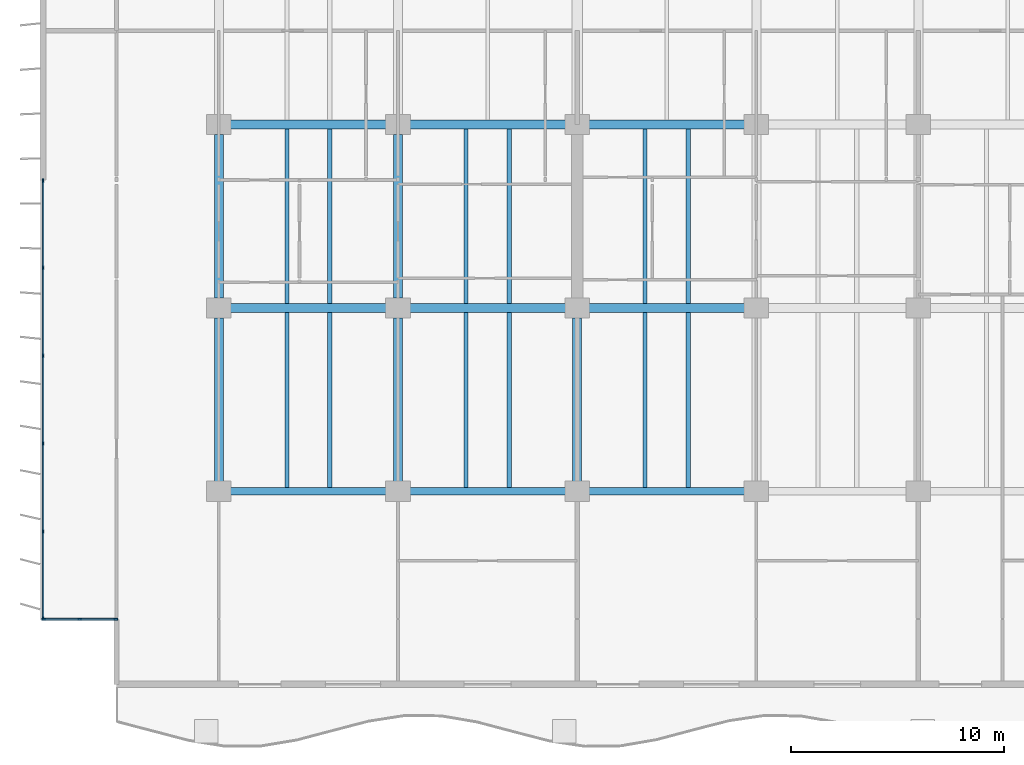
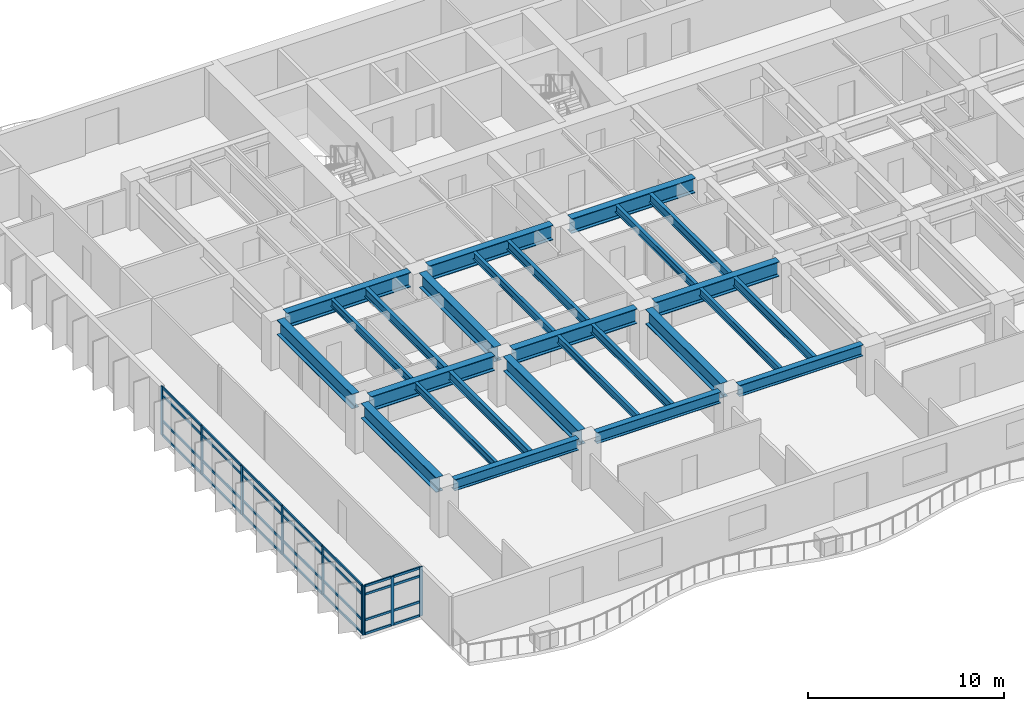
# One storey, part 2 of 17: 37 members, 26 beams, 2 elements without a shape of their own.
"""IFC4 building model written with IfcOpenShell, lengths in metres."""

from ifc_helpers import new_model, si_unit, direction, frame, origin, origin_2d, place, context, subcontext, project, spatial, rectangle, i_section, extrude, material, layer, layer_set, material_profile, profile_set, type_object, element, aggregate, save


model = new_model("IFC4")

# Units and contexts
model_context = context("Model", 3, precision=1e-05, world=origin(), true_north=direction((0.0, 1.0)))
body_context = subcontext(model_context, "Body", "Model", "MODEL_VIEW")
ifc_project = project(units=[si_unit("LENGTHUNIT", "METRE"), si_unit("AREAUNIT", "SQUARE_METRE"), si_unit("VOLUMEUNIT", "CUBIC_METRE"), si_unit("PLANEANGLEUNIT", "RADIAN"), si_unit("MASSUNIT", "GRAM", prefix="KILO")], contexts=[model_context])

# Site, building, storey
site_placement = place(None, origin())
site = spatial("IfcSite", under=ifc_project, at=site_placement, CompositionType="ELEMENT")
building_placement = place(site_placement, origin())
building = spatial("IfcBuilding", under=site, at=building_placement, Name="Caelmar Bay Residences", CompositionType="ELEMENT")
storey_placement = place(building_placement, frame((0.0, 0.0, 59.699951171875)))
storey = spatial("IfcBuildingStorey", under=building, at=storey_placement, Name="L15", CompositionType="ELEMENT", Elevation=59.699951171875)

# Beams
ifc_material_1 = material(Name="Steel ASTM A992 Grade 50", Category="steel")
ifc_material_profile_1 = material_profile(ifc_material_1, i_section(OverallWidth=0.422119140625, OverallDepth=0.925048828125, WebThickness=0.021240234375, FlangeThickness=0.03662109375, FilletRadius=0.020263671875, at=origin_2d()), Name="W36X262")
ifc_profile_set_1 = profile_set([ifc_material_profile_1], Name="Steel ASTM A992 Grade 50")
beam_type_1 = type_object("IfcBeamType", Name="BM-GRD-W36X262", PredefinedType="BEAM", material=ifc_profile_set_1)
beam_1_placement = place(storey_placement, frame((10.43994140625, 20.800048828125, 2.587646484375), z_axis=(1.0, 0.0, 0.0), x_axis=(0.0, 1.0, 0.0)))
element("IfcBeam", 1, at=beam_1_placement, inside=storey, type_object=beam_type_1, Name="L15 East-West Girder Y=20.80 (9.9-18.3)", PredefinedType="BEAM", context=body_context, shape_type="SweptSolid", body=[
    extrude(i_section(OverallWidth=0.422119140625, OverallDepth=0.925048828125, WebThickness=0.021240234375, FlangeThickness=0.03662109375, FilletRadius=0.020263671875, at=origin_2d()), origin(), (0.0, 0.0, 1.0), 7.320068359375),
])
beam_2_placement = place(storey_placement, frame((18.840087890625, 20.800048828125, 2.587646484375), z_axis=(1.0, 0.0, 0.0), x_axis=(0.0, 1.0, 0.0)))
element("IfcBeam", 2, at=beam_2_placement, inside=storey, type_object=beam_type_1, Name="L15 East-West Girder Y=20.80 (18.3-26.7)", PredefinedType="BEAM", context=body_context, shape_type="SweptSolid", body=[
    extrude(i_section(OverallWidth=0.422119140625, OverallDepth=0.925048828125, WebThickness=0.021240234375, FlangeThickness=0.03662109375, FilletRadius=0.020263671875, at=origin_2d()), origin(), (0.0, 0.0, 1.0), 7.31982421875),
])
for number, where, z_axis, x_axis, name in (
    (3, (27.239990234375, 20.800048828125, 2.587646484375), (1.0, 0.0, 0.0), (0.0, 1.0, 0.0), "L15 East-West Girder Y=20.80 (26.7-35.1)"),
    (4, (10.43994140625, 29.39990234375, 2.587646484375), (1.0, 0.0, 0.0), (0.0, 1.0, 0.0), "L15 East-West Girder Y=29.40 (9.9-18.3)"),
):
    element("IfcBeam", number, at=place(storey_placement, frame(where, z_axis=z_axis, x_axis=x_axis)), inside=storey, type_object=beam_type_1, Name=name, PredefinedType="BEAM", context=body_context, shape_type="SweptSolid", body=[
        extrude(i_section(OverallWidth=0.422119140625, OverallDepth=0.925048828125, WebThickness=0.021240234375, FlangeThickness=0.03662109375, FilletRadius=0.020263671875, at=origin_2d()), origin(), (0.0, 0.0, 1.0), 7.320068359375),
    ])
beam_3_placement = place(storey_placement, frame((18.840087890625, 29.39990234375, 2.587646484375), z_axis=(1.0, 0.0, 0.0), x_axis=(0.0, 1.0, 0.0)))
element("IfcBeam", 5, at=beam_3_placement, inside=storey, type_object=beam_type_1, Name="L15 East-West Girder Y=29.40 (18.3-26.7)", PredefinedType="BEAM", context=body_context, shape_type="SweptSolid", body=[
    extrude(i_section(OverallWidth=0.422119140625, OverallDepth=0.925048828125, WebThickness=0.021240234375, FlangeThickness=0.03662109375, FilletRadius=0.020263671875, at=origin_2d()), origin(), (0.0, 0.0, 1.0), 7.31982421875),
])
beam_4_placement = place(storey_placement, frame((27.239990234375, 29.39990234375, 2.587646484375), z_axis=(1.0, 0.0, 0.0), x_axis=(0.0, 1.0, 0.0)))
element("IfcBeam", 6, at=beam_4_placement, inside=storey, type_object=beam_type_1, Name="L15 East-West Girder Y=29.40 (26.7-35.1)", PredefinedType="BEAM", context=body_context, shape_type="SweptSolid", body=[
    extrude(i_section(OverallWidth=0.422119140625, OverallDepth=0.925048828125, WebThickness=0.021240234375, FlangeThickness=0.03662109375, FilletRadius=0.020263671875, at=origin_2d()), origin(), (0.0, 0.0, 1.0), 7.320068359375),
])
beam_5_placement = place(storey_placement, frame((9.89990234375, 12.6650390625, 2.587646484375), z_axis=(0.0, 1.0, 0.0), x_axis=(-1.0, 0.0, 0.0)))
element("IfcBeam", 7, at=beam_5_placement, inside=storey, type_object=beam_type_1, Name="L15 North-South Girder X=9.90 (12.2-20.8)", PredefinedType="BEAM", context=body_context, shape_type="SweptSolid", body=[
    extrude(i_section(OverallWidth=0.422119140625, OverallDepth=0.925048828125, WebThickness=0.021240234375, FlangeThickness=0.03662109375, FilletRadius=0.020263671875, at=origin_2d()), origin(), (0.0, 0.0, 1.0), 7.669921875),
])
beam_6_placement = place(storey_placement, frame((9.89990234375, 21.264892578125, 2.587646484375), z_axis=(0.0, 1.0, 0.0), x_axis=(-1.0, 0.0, 0.0)))
element("IfcBeam", 8, at=beam_6_placement, inside=storey, type_object=beam_type_1, Name="L15 North-South Girder X=9.90 (20.8-29.4)", PredefinedType="BEAM", context=body_context, shape_type="SweptSolid", body=[
    extrude(i_section(OverallWidth=0.422119140625, OverallDepth=0.925048828125, WebThickness=0.021240234375, FlangeThickness=0.03662109375, FilletRadius=0.020263671875, at=origin_2d()), origin(), (0.0, 0.0, 1.0), 7.670166015625),
])
beam_7_placement = place(storey_placement, frame((18.300048828125, 12.6650390625, 2.587646484375), z_axis=(0.0, 1.0, 0.0), x_axis=(-1.0, 0.0, 0.0)))
element("IfcBeam", 9, at=beam_7_placement, inside=storey, type_object=beam_type_1, Name="L15 North-South Girder X=18.30 (12.2-20.8)", PredefinedType="BEAM", context=body_context, shape_type="SweptSolid", body=[
    extrude(i_section(OverallWidth=0.422119140625, OverallDepth=0.925048828125, WebThickness=0.021240234375, FlangeThickness=0.03662109375, FilletRadius=0.020263671875, at=origin_2d()), origin(), (0.0, 0.0, 1.0), 7.669921875),
])
beam_8_placement = place(storey_placement, frame((18.300048828125, 21.264892578125, 2.587646484375), z_axis=(0.0, 1.0, 0.0), x_axis=(-1.0, 0.0, 0.0)))
element("IfcBeam", 10, at=beam_8_placement, inside=storey, type_object=beam_type_1, Name="L15 North-South Girder X=18.30 (20.8-29.4)", PredefinedType="BEAM", context=body_context, shape_type="SweptSolid", body=[
    extrude(i_section(OverallWidth=0.422119140625, OverallDepth=0.925048828125, WebThickness=0.021240234375, FlangeThickness=0.03662109375, FilletRadius=0.020263671875, at=origin_2d()), origin(), (0.0, 0.0, 1.0), 7.670166015625),
])
beam_9_placement = place(storey_placement, frame((26.699951171875, 12.6650390625, 2.587646484375), z_axis=(0.0, 1.0, 0.0), x_axis=(-1.0, 0.0, 0.0)))
element("IfcBeam", 11, at=beam_9_placement, inside=storey, type_object=beam_type_1, Name="L15 North-South Girder X=26.70 (12.2-20.8)", PredefinedType="BEAM", context=body_context, shape_type="SweptSolid", body=[
    extrude(i_section(OverallWidth=0.422119140625, OverallDepth=0.925048828125, WebThickness=0.021240234375, FlangeThickness=0.03662109375, FilletRadius=0.020263671875, at=origin_2d()), origin(), (0.0, 0.0, 1.0), 7.669921875),
])
ifc_material_profile_2 = material_profile(ifc_material_1, i_section(OverallWidth=0.19091796875, OverallDepth=0.45703125, WebThickness=0.009033203125, FlangeThickness=0.014404296875, FilletRadius=0.01025390625, at=origin_2d()), Name="W18X50")
ifc_profile_set_2 = profile_set([ifc_material_profile_2], Name="Steel ASTM A992 Grade 50")
beam_type_2 = type_object("IfcBeamType", Name="BM-JST-W18X50", PredefinedType="JOIST", material=ifc_profile_set_2)
for number, where, z_axis, x_axis, name in (
    (12, (13.092041015625, 12.3779296875, 2.821533203125), (0.0, 1.0, 0.0), (-1.0, 0.0, 0.0), "L15 Composite Floor Joist 1"),
    (13, (21.491943359375, 12.3779296875, 2.821533203125), (0.0, 1.0, 0.0), (-1.0, 0.0, 0.0), "L15 Composite Floor Joist 3"),
    (14, (29.89208984375, 12.3779296875, 2.821533203125), (0.0, 1.0, 0.0), (-1.0, 0.0, 0.0), "L15 Composite Floor Joist 5"),
):
    element("IfcBeam", number, at=place(storey_placement, frame(where, z_axis=z_axis, x_axis=x_axis)), inside=storey, type_object=beam_type_2, Name=name, PredefinedType="JOIST", context=body_context, shape_type="SweptSolid", body=[
        extrude(i_section(OverallWidth=0.19091796875, OverallDepth=0.45703125, WebThickness=0.009033203125, FlangeThickness=0.014404296875, FilletRadius=0.01025390625, at=origin_2d()), origin(), (0.0, 0.0, 1.0), 8.211181640625),
    ])
for number, where, z_axis, x_axis, name in (
    (15, (13.092041015625, 21.010986328125, 2.821533203125), (0.0, 1.0, 0.0), (-1.0, 0.0, 0.0), "L15 Composite Floor Joist 15"),
    (16, (21.491943359375, 21.010986328125, 2.821533203125), (0.0, 1.0, 0.0), (-1.0, 0.0, 0.0), "L15 Composite Floor Joist 17"),
    (17, (29.89208984375, 21.010986328125, 2.821533203125), (0.0, 1.0, 0.0), (-1.0, 0.0, 0.0), "L15 Composite Floor Joist 19"),
):
    element("IfcBeam", number, at=place(storey_placement, frame(where, z_axis=z_axis, x_axis=x_axis)), inside=storey, type_object=beam_type_2, Name=name, PredefinedType="JOIST", context=body_context, shape_type="SweptSolid", body=[
        extrude(i_section(OverallWidth=0.19091796875, OverallDepth=0.45703125, WebThickness=0.009033203125, FlangeThickness=0.014404296875, FilletRadius=0.01025390625, at=origin_2d()), origin(), (0.0, 0.0, 1.0), 8.177978515625),
    ])
ifc_material_profile_3 = material_profile(ifc_material_1, i_section(OverallWidth=0.214111328125, OverallDepth=0.549072265625, WebThickness=0.0146484375, FlangeThickness=0.023681640625, FilletRadius=0.0126953125, at=origin_2d()), Name="W21X93")
ifc_profile_set_3 = profile_set([ifc_material_profile_3], Name="Steel ASTM A992 Grade 50")
beam_type_3 = type_object("IfcBeamType", Name="BM-JST-W21X93", PredefinedType="JOIST", material=ifc_profile_set_3)
for number, where, z_axis, x_axis, name in (
    (18, (15.10791015625, 12.3779296875, 2.775634765625), (0.0, 1.0, 0.0), (-1.0, 0.0, 0.0), "L15 Composite Floor Joist 2"),
    (19, (23.508056640625, 12.3779296875, 2.775634765625), (0.0, 1.0, 0.0), (-1.0, 0.0, 0.0), "L15 Composite Floor Joist 4"),
    (20, (31.907958984375, 12.3779296875, 2.775634765625), (0.0, 1.0, 0.0), (-1.0, 0.0, 0.0), "L15 Composite Floor Joist 6"),
):
    element("IfcBeam", number, at=place(storey_placement, frame(where, z_axis=z_axis, x_axis=x_axis)), inside=storey, type_object=beam_type_3, Name=name, PredefinedType="JOIST", context=body_context, shape_type="SweptSolid", body=[
        extrude(i_section(OverallWidth=0.214111328125, OverallDepth=0.549072265625, WebThickness=0.0146484375, FlangeThickness=0.023681640625, FilletRadius=0.0126953125, at=origin_2d()), origin(), (0.0, 0.0, 1.0), 8.211181640625),
    ])
for number, where, z_axis, x_axis, name in (
    (21, (15.10791015625, 21.010986328125, 2.775634765625), (0.0, 1.0, 0.0), (-1.0, 0.0, 0.0), "L15 Composite Floor Joist 16"),
    (22, (23.508056640625, 21.010986328125, 2.775634765625), (0.0, 1.0, 0.0), (-1.0, 0.0, 0.0), "L15 Composite Floor Joist 18"),
    (23, (31.907958984375, 21.010986328125, 2.775634765625), (0.0, 1.0, 0.0), (-1.0, 0.0, 0.0), "L15 Composite Floor Joist 20"),
):
    element("IfcBeam", number, at=place(storey_placement, frame(where, z_axis=z_axis, x_axis=x_axis)), inside=storey, type_object=beam_type_3, Name=name, PredefinedType="JOIST", context=body_context, shape_type="SweptSolid", body=[
        extrude(i_section(OverallWidth=0.214111328125, OverallDepth=0.549072265625, WebThickness=0.0146484375, FlangeThickness=0.023681640625, FilletRadius=0.0126953125, at=origin_2d()), origin(), (0.0, 0.0, 1.0), 8.177978515625),
    ])
ifc_material_profile_4 = material_profile(ifc_material_1, i_section(OverallWidth=0.35595703125, OverallDepth=0.696044921875, WebThickness=0.015380859375, FlangeThickness=0.02490234375, FilletRadius=0.01513671875, at=origin_2d()), Name="W27X146")
ifc_profile_set_4 = profile_set([ifc_material_profile_4], Name="Steel ASTM A992 Grade 50")
beam_type_4 = type_object("IfcBeamType", Name="BM-SPN-W27X146", PredefinedType="SPANDREL", material=ifc_profile_set_4)
beam_10_placement = place(storey_placement, frame((10.43994140625, 12.199951171875, 2.7021484375), z_axis=(1.0, 0.0, 0.0), x_axis=(0.0, 1.0, 0.0)))
element("IfcBeam", 24, at=beam_10_placement, inside=storey, type_object=beam_type_4, Name="L15 East-West Girder Y=12.20 (9.9-18.3)", PredefinedType="SPANDREL", context=body_context, shape_type="SweptSolid", body=[
    extrude(i_section(OverallWidth=0.35595703125, OverallDepth=0.696044921875, WebThickness=0.015380859375, FlangeThickness=0.02490234375, FilletRadius=0.01513671875, at=origin_2d()), origin(), (0.0, 0.0, 1.0), 7.320068359375),
])
beam_11_placement = place(storey_placement, frame((18.840087890625, 12.199951171875, 2.7021484375), z_axis=(1.0, 0.0, 0.0), x_axis=(0.0, 1.0, 0.0)))
element("IfcBeam", 25, at=beam_11_placement, inside=storey, type_object=beam_type_4, Name="L15 East-West Girder Y=12.20 (18.3-26.7)", PredefinedType="SPANDREL", context=body_context, shape_type="SweptSolid", body=[
    extrude(i_section(OverallWidth=0.35595703125, OverallDepth=0.696044921875, WebThickness=0.015380859375, FlangeThickness=0.02490234375, FilletRadius=0.01513671875, at=origin_2d()), origin(), (0.0, 0.0, 1.0), 7.31982421875),
])
beam_12_placement = place(storey_placement, frame((27.239990234375, 12.199951171875, 2.7021484375), z_axis=(1.0, 0.0, 0.0), x_axis=(0.0, 1.0, 0.0)))
element("IfcBeam", 26, at=beam_12_placement, inside=storey, type_object=beam_type_4, Name="L15 East-West Girder Y=12.20 (26.7-35.1)", PredefinedType="SPANDREL", context=body_context, shape_type="SweptSolid", body=[
    extrude(i_section(OverallWidth=0.35595703125, OverallDepth=0.696044921875, WebThickness=0.015380859375, FlangeThickness=0.02490234375, FilletRadius=0.01513671875, at=origin_2d()), origin(), (0.0, 0.0, 1.0), 7.320068359375),
])

# Curtain wall, members
ifc_material_2 = material(Name="Anodised bronze aluminium 6063-T6 and laminated glass", Category="aluminium")
ifc_layer_1 = layer(ifc_material_2, 0.179931640625)
ifc_layer_set_1 = layer_set([ifc_layer_1], Name="Anodised bronze aluminium 6063-T6 and laminated glass")
curtain_wall_type_1 = type_object("IfcCurtainWallType", Name="CW6-NTC", PredefinedType="NOTDEFINED", material=ifc_layer_set_1)
curtain_wall_1_placement = place(storey_placement, origin())
curtain_wall_1 = element("IfcCurtainWall", 27, at=curtain_wall_1_placement, inside=storey, type_object=curtain_wall_type_1, Name="CW6 curtain wall L15", PredefinedType="NOTDEFINED")
ifc_material_3 = material(Name="Anodised bronze aluminium 6063-T6", Category="aluminium")
ifc_material_profile_5 = material_profile(ifc_material_3, rectangle(XDim=0.080078125, YDim=0.179931640625, at=origin_2d()), Name="CWM-80X180")
ifc_profile_set_5 = profile_set([ifc_material_profile_5], Name="Anodised bronze aluminium 6063-T6")
member_type_1 = type_object("IfcMemberType", Name="CWM-180", PredefinedType="MULLION", material=ifc_profile_set_5)
member_1_placement = place(storey_placement, frame((1.68994140625, 6.199951171875, 0.0), z_axis=(0.0, 0.0, 1.0), x_axis=(0.0, 1.0, 0.0)))
member_1 = element("IfcMember", 28, at=member_1_placement, type_object=member_type_1, Name="CW6 mullion 1", PredefinedType="MULLION", context=body_context, shape_type="SweptSolid", body=[
    extrude(rectangle(XDim=0.080078125, YDim=0.179931640625, at=origin_2d()), origin(), (0.0, 0.0, 1.0), 3.050048828125),
])
member_2_placement = place(storey_placement, frame((3.375, 6.199951171875, 0.0), z_axis=(0.0, 0.0, 1.0), x_axis=(0.0, 1.0, 0.0)))
member_2 = element("IfcMember", 29, at=member_2_placement, type_object=member_type_1, Name="CW6 mullion 2", PredefinedType="MULLION", context=body_context, shape_type="SweptSolid", body=[
    extrude(rectangle(XDim=0.080078125, YDim=0.179931640625, at=origin_2d()), origin(), (0.0, 0.0, 1.0), 3.050048828125),
])
member_3_placement = place(storey_placement, frame((5.06005859375, 6.199951171875, 0.0), z_axis=(0.0, 0.0, 1.0), x_axis=(0.0, 1.0, 0.0)))
member_3 = element("IfcMember", 30, at=member_3_placement, type_object=member_type_1, Name="CW6 mullion 3", PredefinedType="MULLION", context=body_context, shape_type="SweptSolid", body=[
    extrude(rectangle(XDim=0.080078125, YDim=0.179931640625, at=origin_2d()), origin(), (0.0, 0.0, 1.0), 3.050048828125),
])

ifc_layer_2 = layer(ifc_material_2, 0.179931640625)
ifc_layer_set_2 = layer_set([ifc_layer_2], Name="Anodised bronze aluminium 6063-T6 and laminated glass")
curtain_wall_type_2 = type_object("IfcCurtainWallType", Name="CW2-Z1", PredefinedType="NOTDEFINED", material=ifc_layer_set_2)
curtain_wall_2_placement = place(storey_placement, origin())
curtain_wall_2 = element("IfcCurtainWall", 31, at=curtain_wall_2_placement, inside=storey, type_object=curtain_wall_type_2, Name="CW2 curtain wall L15", PredefinedType="NOTDEFINED")
member_4_placement = place(storey_placement, frame((1.64990234375, 6.239990234375, 0.0), z_axis=(0.0, 0.0, 1.0), x_axis=(-1.0, 0.0, 0.0)))
member_4 = element("IfcMember", 32, at=member_4_placement, type_object=member_type_1, Name="CW2 mullion 1", PredefinedType="MULLION", context=body_context, shape_type="SweptSolid", body=[
    extrude(rectangle(XDim=0.080078125, YDim=0.179931640625, at=origin_2d()), origin(), (0.0, 0.0, 1.0), 3.050048828125),
])
member_5_placement = place(storey_placement, frame((1.64990234375, 10.320068359375, 0.0), z_axis=(0.0, 0.0, 1.0), x_axis=(-1.0, 0.0, 0.0)))
member_5 = element("IfcMember", 33, at=member_5_placement, type_object=member_type_1, Name="CW2 mullion 2", PredefinedType="MULLION", context=body_context, shape_type="SweptSolid", body=[
    extrude(rectangle(XDim=0.080078125, YDim=0.179931640625, at=origin_2d()), origin(), (0.0, 0.0, 1.0), 3.050048828125),
])
member_6_placement = place(storey_placement, frame((1.64990234375, 14.43994140625, 0.0), z_axis=(0.0, 0.0, 1.0), x_axis=(-1.0, 0.0, 0.0)))
member_6 = element("IfcMember", 34, at=member_6_placement, type_object=member_type_1, Name="CW2 mullion 3", PredefinedType="MULLION", context=body_context, shape_type="SweptSolid", body=[
    extrude(rectangle(XDim=0.080078125, YDim=0.179931640625, at=origin_2d()), origin(), (0.0, 0.0, 1.0), 3.050048828125),
])
member_7_placement = place(storey_placement, frame((1.64990234375, 18.56005859375, 0.0), z_axis=(0.0, 0.0, 1.0), x_axis=(-1.0, 0.0, 0.0)))
member_7 = element("IfcMember", 35, at=member_7_placement, type_object=member_type_1, Name="CW2 mullion 4", PredefinedType="MULLION", context=body_context, shape_type="SweptSolid", body=[
    extrude(rectangle(XDim=0.080078125, YDim=0.179931640625, at=origin_2d()), origin(), (0.0, 0.0, 1.0), 3.050048828125),
])
member_8_placement = place(storey_placement, frame((1.64990234375, 22.679931640625, 0.0), z_axis=(0.0, 0.0, 1.0), x_axis=(-1.0, 0.0, 0.0)))
member_8 = element("IfcMember", 36, at=member_8_placement, type_object=member_type_1, Name="CW2 mullion 5", PredefinedType="MULLION", context=body_context, shape_type="SweptSolid", body=[
    extrude(rectangle(XDim=0.080078125, YDim=0.179931640625, at=origin_2d()), origin(), (0.0, 0.0, 1.0), 3.050048828125),
])
member_9_placement = place(storey_placement, frame((1.64990234375, 26.760009765625, 0.0), z_axis=(0.0, 0.0, 1.0), x_axis=(-1.0, 0.0, 0.0)))
member_9 = element("IfcMember", 37, at=member_9_placement, type_object=member_type_1, Name="CW2 mullion 6", PredefinedType="MULLION", context=body_context, shape_type="SweptSolid", body=[
    extrude(rectangle(XDim=0.080078125, YDim=0.179931640625, at=origin_2d()), origin(), (0.0, 0.0, 1.0), 3.050048828125),
])

# Member
ifc_material_profile_6 = material_profile(ifc_material_3, rectangle(XDim=0.080078125, YDim=0.139892578125, at=origin_2d()), Name="CWT-80X140")
ifc_profile_set_6 = profile_set([ifc_material_profile_6], Name="Anodised bronze aluminium 6063-T6")
member_type_2 = type_object("IfcMemberType", Name="CWT-140", PredefinedType="NOTDEFINED", material=ifc_profile_set_6)
member_10_placement = place(storey_placement, frame((1.72998046875, 6.199951171875, 0.0400390625), z_axis=(1.0, 0.0, 0.0), x_axis=(0.0, 1.0, 0.0)))
member_10 = element("IfcMember", 38, at=member_10_placement, type_object=member_type_2, Name="CW6 transom 1.1", ObjectType="TRANSOM", PredefinedType="USERDEFINED", context=body_context, shape_type="SweptSolid", body=[
    extrude(rectangle(XDim=0.080078125, YDim=0.139892578125, at=origin_2d()), origin(), (0.0, 0.0, 1.0), 1.60498046875),
])

member_11_placement = place(storey_placement, frame((1.72998046875, 6.199951171875, 0.900146484375), z_axis=(1.0, 0.0, 0.0), x_axis=(0.0, 1.0, 0.0)))
member_11 = element("IfcMember", 39, at=member_11_placement, type_object=member_type_2, Name="CW6 transom 1.2", ObjectType="TRANSOM", PredefinedType="USERDEFINED", context=body_context, shape_type="SweptSolid", body=[
    extrude(rectangle(XDim=0.080078125, YDim=0.139892578125, at=origin_2d()), origin(), (0.0, 0.0, 1.0), 1.60498046875),
])

member_12_placement = place(storey_placement, frame((1.72998046875, 6.199951171875, 2.5), z_axis=(1.0, 0.0, 0.0), x_axis=(0.0, 1.0, 0.0)))
member_12 = element("IfcMember", 40, at=member_12_placement, type_object=member_type_2, Name="CW6 transom 1.3", ObjectType="TRANSOM", PredefinedType="USERDEFINED", context=body_context, shape_type="SweptSolid", body=[
    extrude(rectangle(XDim=0.080078125, YDim=0.139892578125, at=origin_2d()), origin(), (0.0, 0.0, 1.0), 1.60498046875),
])

member_13_placement = place(storey_placement, frame((1.72998046875, 6.199951171875, 3.010009765625), z_axis=(1.0, 0.0, 0.0), x_axis=(0.0, 1.0, 0.0)))
member_13 = element("IfcMember", 41, at=member_13_placement, type_object=member_type_2, Name="CW6 transom 1.4", ObjectType="TRANSOM", PredefinedType="USERDEFINED", context=body_context, shape_type="SweptSolid", body=[
    extrude(rectangle(XDim=0.080078125, YDim=0.139892578125, at=origin_2d()), origin(), (0.0, 0.0, 1.0), 1.60498046875),
])

member_14_placement = place(storey_placement, frame((3.4150390625, 6.199951171875, 0.0400390625), z_axis=(1.0, 0.0, 0.0), x_axis=(0.0, 1.0, 0.0)))
member_14 = element("IfcMember", 42, at=member_14_placement, type_object=member_type_2, Name="CW6 transom 2.1", ObjectType="TRANSOM", PredefinedType="USERDEFINED", context=body_context, shape_type="SweptSolid", body=[
    extrude(rectangle(XDim=0.080078125, YDim=0.139892578125, at=origin_2d()), origin(), (0.0, 0.0, 1.0), 1.60498046875),
])

member_15_placement = place(storey_placement, frame((3.4150390625, 6.199951171875, 0.900146484375), z_axis=(1.0, 0.0, 0.0), x_axis=(0.0, 1.0, 0.0)))
member_15 = element("IfcMember", 43, at=member_15_placement, type_object=member_type_2, Name="CW6 transom 2.2", ObjectType="TRANSOM", PredefinedType="USERDEFINED", context=body_context, shape_type="SweptSolid", body=[
    extrude(rectangle(XDim=0.080078125, YDim=0.139892578125, at=origin_2d()), origin(), (0.0, 0.0, 1.0), 1.60498046875),
])

member_16_placement = place(storey_placement, frame((3.4150390625, 6.199951171875, 2.5), z_axis=(1.0, 0.0, 0.0), x_axis=(0.0, 1.0, 0.0)))
member_16 = element("IfcMember", 44, at=member_16_placement, type_object=member_type_2, Name="CW6 transom 2.3", ObjectType="TRANSOM", PredefinedType="USERDEFINED", context=body_context, shape_type="SweptSolid", body=[
    extrude(rectangle(XDim=0.080078125, YDim=0.139892578125, at=origin_2d()), origin(), (0.0, 0.0, 1.0), 1.60498046875),
])

member_17_placement = place(storey_placement, frame((3.4150390625, 6.199951171875, 3.010009765625), z_axis=(1.0, 0.0, 0.0), x_axis=(0.0, 1.0, 0.0)))
member_17 = element("IfcMember", 45, at=member_17_placement, type_object=member_type_2, Name="CW6 transom 2.4", ObjectType="TRANSOM", PredefinedType="USERDEFINED", context=body_context, shape_type="SweptSolid", body=[
    extrude(rectangle(XDim=0.080078125, YDim=0.139892578125, at=origin_2d()), origin(), (0.0, 0.0, 1.0), 1.60498046875),
])

aggregate(curtain_wall_1, [member_1, member_2, member_3, member_10, member_11, member_12, member_13, member_14, member_15, member_16, member_17])

member_18_placement = place(storey_placement, frame((1.64990234375, 6.280029296875, 0.0400390625), z_axis=(0.0, 1.0, 0.0), x_axis=(-1.0, 0.0, 0.0)))
member_18 = element("IfcMember", 46, at=member_18_placement, type_object=member_type_2, Name="CW2 transom 1.1", ObjectType="TRANSOM", PredefinedType="USERDEFINED", context=body_context, shape_type="SweptSolid", body=[
    extrude(rectangle(XDim=0.080078125, YDim=0.139892578125, at=origin_2d()), origin(), (0.0, 0.0, 1.0), 4.0),
])

member_19_placement = place(storey_placement, frame((1.64990234375, 6.280029296875, 0.900146484375), z_axis=(0.0, 1.0, 0.0), x_axis=(-1.0, 0.0, 0.0)))
member_19 = element("IfcMember", 47, at=member_19_placement, type_object=member_type_2, Name="CW2 transom 1.2", ObjectType="TRANSOM", PredefinedType="USERDEFINED", context=body_context, shape_type="SweptSolid", body=[
    extrude(rectangle(XDim=0.080078125, YDim=0.139892578125, at=origin_2d()), origin(), (0.0, 0.0, 1.0), 4.0),
])

member_20_placement = place(storey_placement, frame((1.64990234375, 6.280029296875, 2.5), z_axis=(0.0, 1.0, 0.0), x_axis=(-1.0, 0.0, 0.0)))
member_20 = element("IfcMember", 48, at=member_20_placement, type_object=member_type_2, Name="CW2 transom 1.3", ObjectType="TRANSOM", PredefinedType="USERDEFINED", context=body_context, shape_type="SweptSolid", body=[
    extrude(rectangle(XDim=0.080078125, YDim=0.139892578125, at=origin_2d()), origin(), (0.0, 0.0, 1.0), 4.0),
])

member_21_placement = place(storey_placement, frame((1.64990234375, 6.280029296875, 3.010009765625), z_axis=(0.0, 1.0, 0.0), x_axis=(-1.0, 0.0, 0.0)))
member_21 = element("IfcMember", 49, at=member_21_placement, type_object=member_type_2, Name="CW2 transom 1.4", ObjectType="TRANSOM", PredefinedType="USERDEFINED", context=body_context, shape_type="SweptSolid", body=[
    extrude(rectangle(XDim=0.080078125, YDim=0.139892578125, at=origin_2d()), origin(), (0.0, 0.0, 1.0), 4.0),
])

member_22_placement = place(storey_placement, frame((1.64990234375, 10.360107421875, 0.0400390625), z_axis=(0.0, 1.0, 0.0), x_axis=(-1.0, 0.0, 0.0)))
member_22 = element("IfcMember", 50, at=member_22_placement, type_object=member_type_2, Name="CW2 transom 2.1", ObjectType="TRANSOM", PredefinedType="USERDEFINED", context=body_context, shape_type="SweptSolid", body=[
    extrude(rectangle(XDim=0.080078125, YDim=0.139892578125, at=origin_2d()), origin(), (0.0, 0.0, 1.0), 4.039794921875),
])

member_23_placement = place(storey_placement, frame((1.64990234375, 10.360107421875, 0.900146484375), z_axis=(0.0, 1.0, 0.0), x_axis=(-1.0, 0.0, 0.0)))
member_23 = element("IfcMember", 51, at=member_23_placement, type_object=member_type_2, Name="CW2 transom 2.2", ObjectType="TRANSOM", PredefinedType="USERDEFINED", context=body_context, shape_type="SweptSolid", body=[
    extrude(rectangle(XDim=0.080078125, YDim=0.139892578125, at=origin_2d()), origin(), (0.0, 0.0, 1.0), 4.039794921875),
])

member_24_placement = place(storey_placement, frame((1.64990234375, 10.360107421875, 2.5), z_axis=(0.0, 1.0, 0.0), x_axis=(-1.0, 0.0, 0.0)))
member_24 = element("IfcMember", 52, at=member_24_placement, type_object=member_type_2, Name="CW2 transom 2.3", ObjectType="TRANSOM", PredefinedType="USERDEFINED", context=body_context, shape_type="SweptSolid", body=[
    extrude(rectangle(XDim=0.080078125, YDim=0.139892578125, at=origin_2d()), origin(), (0.0, 0.0, 1.0), 4.039794921875),
])

member_25_placement = place(storey_placement, frame((1.64990234375, 10.360107421875, 3.010009765625), z_axis=(0.0, 1.0, 0.0), x_axis=(-1.0, 0.0, 0.0)))
member_25 = element("IfcMember", 53, at=member_25_placement, type_object=member_type_2, Name="CW2 transom 2.4", ObjectType="TRANSOM", PredefinedType="USERDEFINED", context=body_context, shape_type="SweptSolid", body=[
    extrude(rectangle(XDim=0.080078125, YDim=0.139892578125, at=origin_2d()), origin(), (0.0, 0.0, 1.0), 4.039794921875),
])

member_26_placement = place(storey_placement, frame((1.64990234375, 14.47998046875, 0.0400390625), z_axis=(0.0, 1.0, 0.0), x_axis=(-1.0, 0.0, 0.0)))
member_26 = element("IfcMember", 54, at=member_26_placement, type_object=member_type_2, Name="CW2 transom 3.1", ObjectType="TRANSOM", PredefinedType="USERDEFINED", context=body_context, shape_type="SweptSolid", body=[
    extrude(rectangle(XDim=0.080078125, YDim=0.139892578125, at=origin_2d()), origin(), (0.0, 0.0, 1.0), 4.0400390625),
])

member_27_placement = place(storey_placement, frame((1.64990234375, 14.47998046875, 0.900146484375), z_axis=(0.0, 1.0, 0.0), x_axis=(-1.0, 0.0, 0.0)))
member_27 = element("IfcMember", 55, at=member_27_placement, type_object=member_type_2, Name="CW2 transom 3.2", ObjectType="TRANSOM", PredefinedType="USERDEFINED", context=body_context, shape_type="SweptSolid", body=[
    extrude(rectangle(XDim=0.080078125, YDim=0.139892578125, at=origin_2d()), origin(), (0.0, 0.0, 1.0), 4.0400390625),
])

member_28_placement = place(storey_placement, frame((1.64990234375, 14.47998046875, 2.5), z_axis=(0.0, 1.0, 0.0), x_axis=(-1.0, 0.0, 0.0)))
member_28 = element("IfcMember", 56, at=member_28_placement, type_object=member_type_2, Name="CW2 transom 3.3", ObjectType="TRANSOM", PredefinedType="USERDEFINED", context=body_context, shape_type="SweptSolid", body=[
    extrude(rectangle(XDim=0.080078125, YDim=0.139892578125, at=origin_2d()), origin(), (0.0, 0.0, 1.0), 4.0400390625),
])

member_29_placement = place(storey_placement, frame((1.64990234375, 14.47998046875, 3.010009765625), z_axis=(0.0, 1.0, 0.0), x_axis=(-1.0, 0.0, 0.0)))
member_29 = element("IfcMember", 57, at=member_29_placement, type_object=member_type_2, Name="CW2 transom 3.4", ObjectType="TRANSOM", PredefinedType="USERDEFINED", context=body_context, shape_type="SweptSolid", body=[
    extrude(rectangle(XDim=0.080078125, YDim=0.139892578125, at=origin_2d()), origin(), (0.0, 0.0, 1.0), 4.0400390625),
])

member_30_placement = place(storey_placement, frame((1.64990234375, 18.60009765625, 0.0400390625), z_axis=(0.0, 1.0, 0.0), x_axis=(-1.0, 0.0, 0.0)))
member_30 = element("IfcMember", 58, at=member_30_placement, type_object=member_type_2, Name="CW2 transom 4.1", ObjectType="TRANSOM", PredefinedType="USERDEFINED", context=body_context, shape_type="SweptSolid", body=[
    extrude(rectangle(XDim=0.080078125, YDim=0.139892578125, at=origin_2d()), origin(), (0.0, 0.0, 1.0), 4.039794921875),
])

member_31_placement = place(storey_placement, frame((1.64990234375, 18.60009765625, 0.900146484375), z_axis=(0.0, 1.0, 0.0), x_axis=(-1.0, 0.0, 0.0)))
member_31 = element("IfcMember", 59, at=member_31_placement, type_object=member_type_2, Name="CW2 transom 4.2", ObjectType="TRANSOM", PredefinedType="USERDEFINED", context=body_context, shape_type="SweptSolid", body=[
    extrude(rectangle(XDim=0.080078125, YDim=0.139892578125, at=origin_2d()), origin(), (0.0, 0.0, 1.0), 4.039794921875),
])

member_32_placement = place(storey_placement, frame((1.64990234375, 18.60009765625, 2.5), z_axis=(0.0, 1.0, 0.0), x_axis=(-1.0, 0.0, 0.0)))
member_32 = element("IfcMember", 60, at=member_32_placement, type_object=member_type_2, Name="CW2 transom 4.3", ObjectType="TRANSOM", PredefinedType="USERDEFINED", context=body_context, shape_type="SweptSolid", body=[
    extrude(rectangle(XDim=0.080078125, YDim=0.139892578125, at=origin_2d()), origin(), (0.0, 0.0, 1.0), 4.039794921875),
])

member_33_placement = place(storey_placement, frame((1.64990234375, 18.60009765625, 3.010009765625), z_axis=(0.0, 1.0, 0.0), x_axis=(-1.0, 0.0, 0.0)))
member_33 = element("IfcMember", 61, at=member_33_placement, type_object=member_type_2, Name="CW2 transom 4.4", ObjectType="TRANSOM", PredefinedType="USERDEFINED", context=body_context, shape_type="SweptSolid", body=[
    extrude(rectangle(XDim=0.080078125, YDim=0.139892578125, at=origin_2d()), origin(), (0.0, 0.0, 1.0), 4.039794921875),
])

member_34_placement = place(storey_placement, frame((1.64990234375, 22.719970703125, 0.0400390625), z_axis=(0.0, 1.0, 0.0), x_axis=(-1.0, 0.0, 0.0)))
member_34 = element("IfcMember", 62, at=member_34_placement, type_object=member_type_2, Name="CW2 transom 5.1", ObjectType="TRANSOM", PredefinedType="USERDEFINED", context=body_context, shape_type="SweptSolid", body=[
    extrude(rectangle(XDim=0.080078125, YDim=0.139892578125, at=origin_2d()), origin(), (0.0, 0.0, 1.0), 4.0),
])

member_35_placement = place(storey_placement, frame((1.64990234375, 22.719970703125, 0.900146484375), z_axis=(0.0, 1.0, 0.0), x_axis=(-1.0, 0.0, 0.0)))
member_35 = element("IfcMember", 63, at=member_35_placement, type_object=member_type_2, Name="CW2 transom 5.2", ObjectType="TRANSOM", PredefinedType="USERDEFINED", context=body_context, shape_type="SweptSolid", body=[
    extrude(rectangle(XDim=0.080078125, YDim=0.139892578125, at=origin_2d()), origin(), (0.0, 0.0, 1.0), 4.0),
])

member_36_placement = place(storey_placement, frame((1.64990234375, 22.719970703125, 2.5), z_axis=(0.0, 1.0, 0.0), x_axis=(-1.0, 0.0, 0.0)))
member_36 = element("IfcMember", 64, at=member_36_placement, type_object=member_type_2, Name="CW2 transom 5.3", ObjectType="TRANSOM", PredefinedType="USERDEFINED", context=body_context, shape_type="SweptSolid", body=[
    extrude(rectangle(XDim=0.080078125, YDim=0.139892578125, at=origin_2d()), origin(), (0.0, 0.0, 1.0), 4.0),
])

member_37_placement = place(storey_placement, frame((1.64990234375, 22.719970703125, 3.010009765625), z_axis=(0.0, 1.0, 0.0), x_axis=(-1.0, 0.0, 0.0)))
member_37 = element("IfcMember", 65, at=member_37_placement, type_object=member_type_2, Name="CW2 transom 5.4", ObjectType="TRANSOM", PredefinedType="USERDEFINED", context=body_context, shape_type="SweptSolid", body=[
    extrude(rectangle(XDim=0.080078125, YDim=0.139892578125, at=origin_2d()), origin(), (0.0, 0.0, 1.0), 4.0),
])

aggregate(curtain_wall_2, [member_4, member_5, member_6, member_7, member_8, member_9, member_18, member_19, member_20, member_21, member_22, member_23, member_24, member_25, member_26, member_27, member_28, member_29, member_30, member_31, member_32, member_33, member_34, member_35, member_36, member_37])

save(model, "model.ifc")
